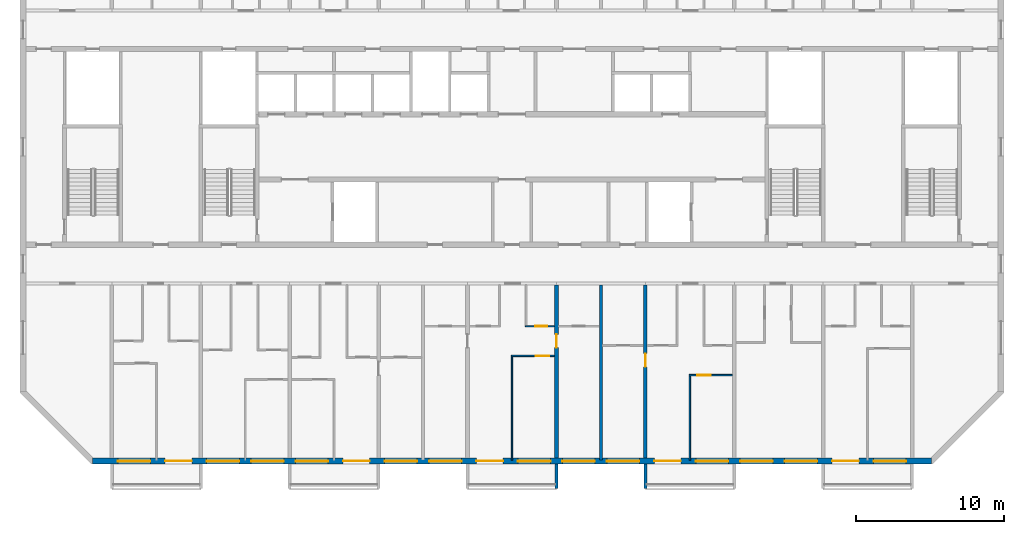
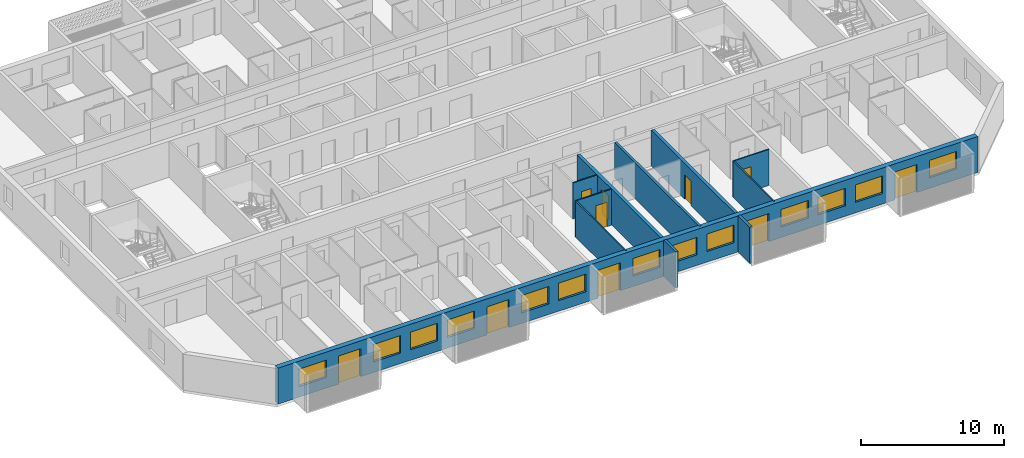
# One storey, part 4 of 26: 13 windows, 11 walls, 10 doors, 23 openings.
"""IFC4 building model written with IfcOpenShell, lengths in metres."""

from ifc_helpers import new_model, si_unit, direction, frame, frame_2d, origin, place, context, subcontext, project, spatial, polyline, rectangle, outline, extrude, source, transform, mapped, material, layer, layer_set, type_object, element, fill, save


model = new_model("IFC4")

# Units and contexts
model_context = context("Model", 3, precision=1e-05, world=origin(), true_north=direction((0.0, 1.0)))
body_context = subcontext(model_context, "Body", "Model", "MODEL_VIEW")
ifc_project = project(units=[si_unit("LENGTHUNIT", "METRE"), si_unit("AREAUNIT", "SQUARE_METRE"), si_unit("VOLUMEUNIT", "CUBIC_METRE"), si_unit("PLANEANGLEUNIT", "RADIAN"), si_unit("MASSUNIT", "GRAM", prefix="KILO")], contexts=[model_context])

# Site, building, storey
site_placement = place(None, origin())
site = spatial("IfcSite", under=ifc_project, at=site_placement, CompositionType="ELEMENT")
building_placement = place(site_placement, origin())
building = spatial("IfcBuilding", under=site, at=building_placement, Name="Poui Terraces", CompositionType="ELEMENT")
storey_placement = place(building_placement, frame((0.0, 0.0, 228.0)))
storey = spatial("IfcBuildingStorey", under=building, at=storey_placement, Name="L63", CompositionType="ELEMENT", Elevation=228.0)

# Wall, opening, door
ifc_material_1 = material(Name="Concrete 50 MPa", Category="concrete")
ifc_layer_1 = layer(ifc_material_1, 0.25)
ifc_layer_set_1 = layer_set([ifc_layer_1], Name="Concrete 50 MPa")
wall_type_1 = type_object("IfcWallType", Name="CROSS WALL 250 50MPa", PredefinedType="SHEAR", material=ifc_layer_set_1)
wall_1_placement = place(storey_placement, frame((54.0, 0.199951171875, 0.0), z_axis=(0.0, 0.0, 1.0), x_axis=(0.0, 1.0, 0.0)))
wall_1 = element("IfcWall", 1, at=wall_1_placement, inside=storey, type_object=wall_type_1, Name="CROSS WALL LINE 10 SOUTH", PredefinedType="SHEAR", context=body_context, shape_type="SweptSolid", body=[
    extrude(rectangle(XDim=11.699951171875, YDim=0.25, at=frame_2d((5.85009765625, 0.0))), origin(), (0.0, 0.0, 1.0), 3.080078125),
])
opening_1_placement = place(wall_1_placement, frame((7.449951171875, 0.0, 0.0)))
opening_1 = element("IfcOpeningElement", 2, at=opening_1_placement, cuts=wall_1, Name="Opening D90", PredefinedType="OPENING", context=body_context, shape_type="SweptSolid", body=[
    extrude(rectangle(XDim=0.89990234375, YDim=2.10009765625, at=frame_2d((0.449951171875, 1.050048828125))), frame((0.0, 0.135009765625, 0.0), z_axis=(0.0, -1.0, 0.0), x_axis=(1.0, 0.0, 0.0)), (0.0, 0.0, 1.0), 0.27001953125),
])
ifc_material_2 = material(Name="Solid core timber door", Category="wood")
door_type_1 = type_object("IfcDoorType", Name="INTERNAL DOOR 900 X 2100", OperationType="NOTDEFINED", PredefinedType="DOOR", material=ifc_material_2)
door_1_placement = place(opening_1_placement, frame((0.89990234375, 0.0, 0.0), z_axis=(0.0, 0.0, 1.0), x_axis=(-1.0, 0.0, 0.0)))
door_1 = element("IfcDoor", 3, at=door_1_placement, inside=storey, type_object=door_type_1, Name="INTERNAL DOOR 080", OperationType="SINGLE_SWING_LEFT", OverallHeight=2.10009765625, OverallWidth=0.89990234375, PredefinedType="DOOR", context=body_context, shape_type="SweptSolid", body=[
    extrude(rectangle(XDim=0.89990234375, YDim=2.10009765625, at=frame_2d((0.449951171875, 1.050048828125))), frame((0.0, 0.02490234375, 0.0), z_axis=(0.0, -1.0, 0.0), x_axis=(1.0, 0.0, 0.0)), (0.0, 0.0, 1.0), 0.050048828125),
])
fill(opening_1, door_1)

wall_2_placement = place(storey_placement, frame((60.0, 0.199951171875, 0.0), z_axis=(0.0, 0.0, 1.0), x_axis=(0.0, 1.0, 0.0)))
wall_2 = element("IfcWall", 4, at=wall_2_placement, inside=storey, type_object=wall_type_1, Name="CROSS WALL LINE 11 SOUTH", PredefinedType="SHEAR", context=body_context, shape_type="SweptSolid", body=[
    extrude(rectangle(XDim=11.699951171875, YDim=0.25, at=frame_2d((5.85009765625, 0.0))), origin(), (0.0, 0.0, 1.0), 3.080078125),
])
opening_2_placement = place(wall_2_placement, frame((6.14990234375, 0.0, 0.0)))
opening_2 = element("IfcOpeningElement", 5, at=opening_2_placement, cuts=wall_2, Name="Opening D90", PredefinedType="OPENING", context=body_context, shape_type="SweptSolid", body=[
    extrude(rectangle(XDim=0.89990234375, YDim=2.10009765625, at=frame_2d((0.449951171875, 1.050048828125))), frame((0.0, 0.135009765625, 0.0), z_axis=(0.0, -1.0, 0.0), x_axis=(1.0, 0.0, 0.0)), (0.0, 0.0, 1.0), 0.27001953125),
])
door_2_placement = place(opening_2_placement, origin())
door_2 = element("IfcDoor", 6, at=door_2_placement, inside=storey, type_object=door_type_1, Name="INTERNAL DOOR 082", OperationType="SINGLE_SWING_RIGHT", OverallHeight=2.10009765625, OverallWidth=0.89990234375, PredefinedType="DOOR", context=body_context, shape_type="SweptSolid", body=[
    extrude(rectangle(XDim=0.89990234375, YDim=2.10009765625, at=frame_2d((0.449951171875, 1.050048828125))), frame((0.0, 0.02490234375, 0.0), z_axis=(0.0, -1.0, 0.0), x_axis=(1.0, 0.0, 0.0)), (0.0, 0.0, 1.0), 0.050048828125),
])
fill(opening_2, door_2)

# Wall, openings, doors, windows
ifc_material_3 = material(Name="Precast concrete 40 MPa", Category="concrete")
ifc_layer_2 = layer(ifc_material_3, 0.39990234375)
ifc_layer_set_2 = layer_set([ifc_layer_2], Name="Precast concrete 40 MPa")
wall_type_2 = type_object("IfcWallType", Name="EXTERNAL WALL 400", PredefinedType="STANDARD", material=ifc_layer_set_2)
wall_3_placement = place(storey_placement, frame((22.682861328125, 0.0, 0.0), z_axis=(0.0, 0.0, 1.0), x_axis=(1.0, 0.0, 0.0)))
wall_3 = element("IfcWall", 7, at=wall_3_placement, inside=storey, type_object=wall_type_2, Name="EXTERNAL WALL S", PredefinedType="STANDARD", context=body_context, shape_type="SweptSolid", body=[
    extrude(rectangle(XDim=56.63427734375, YDim=0.39990234375, at=frame_2d((28.317138671875, 0.0))), origin(), (0.0, 0.0, 1.0), 3.080078125),
])
opening_3_placement = place(wall_3_placement, frame((1.71728515625, 0.0, 0.89990234375)))
opening_3 = element("IfcOpeningElement", 8, at=opening_3_placement, cuts=wall_3, Name="Opening W1", PredefinedType="OPENING", context=body_context, shape_type="SweptSolid", body=[
    extrude(rectangle(XDim=2.199951171875, YDim=1.5, at=frame_2d((1.10009765625, 0.75))), frame((0.0, 0.2099609375, 0.0), z_axis=(0.0, -1.0, 0.0), x_axis=(1.0, 0.0, 0.0)), (0.0, 0.0, 1.0), 0.419921875),
])
opening_4_placement = place(wall_3_placement, frame((4.917236328125, 0.0, 0.0)))
opening_4 = element("IfcOpeningElement", 9, at=opening_4_placement, cuts=wall_3, Name="Opening BD1", PredefinedType="OPENING", context=body_context, shape_type="SweptSolid", body=[
    extrude(rectangle(XDim=1.800048828125, YDim=2.39990234375, at=frame_2d((0.89990234375, 1.199951171875))), frame((0.0, 0.2099609375, 0.0), z_axis=(0.0, -1.0, 0.0), x_axis=(1.0, 0.0, 0.0)), (0.0, 0.0, 1.0), 0.419921875),
])
opening_5_placement = place(wall_3_placement, frame((7.71728515625, 0.0, 0.89990234375)))
opening_5 = element("IfcOpeningElement", 10, at=opening_5_placement, cuts=wall_3, Name="Opening W1", PredefinedType="OPENING", context=body_context, shape_type="SweptSolid", body=[
    extrude(rectangle(XDim=2.199951171875, YDim=1.5, at=frame_2d((1.10009765625, 0.75))), frame((0.0, 0.2099609375, 0.0), z_axis=(0.0, -1.0, 0.0), x_axis=(1.0, 0.0, 0.0)), (0.0, 0.0, 1.0), 0.419921875),
])
opening_6_placement = place(wall_3_placement, frame((10.71728515625, 0.0, 0.89990234375)))
opening_6 = element("IfcOpeningElement", 11, at=opening_6_placement, cuts=wall_3, Name="Opening W1", PredefinedType="OPENING", context=body_context, shape_type="SweptSolid", body=[
    extrude(rectangle(XDim=2.199951171875, YDim=1.5, at=frame_2d((1.10009765625, 0.75))), frame((0.0, 0.2099609375, 0.0), z_axis=(0.0, -1.0, 0.0), x_axis=(1.0, 0.0, 0.0)), (0.0, 0.0, 1.0), 0.419921875),
])
opening_7_placement = place(wall_3_placement, frame((13.71728515625, 0.0, 0.89990234375)))
opening_7 = element("IfcOpeningElement", 12, at=opening_7_placement, cuts=wall_3, Name="Opening W1", PredefinedType="OPENING", context=body_context, shape_type="SweptSolid", body=[
    extrude(rectangle(XDim=2.199951171875, YDim=1.5, at=frame_2d((1.10009765625, 0.75))), frame((0.0, 0.2099609375, 0.0), z_axis=(0.0, -1.0, 0.0), x_axis=(1.0, 0.0, 0.0)), (0.0, 0.0, 1.0), 0.419921875),
])
opening_8_placement = place(wall_3_placement, frame((16.917236328125, 0.0, 0.0)))
opening_8 = element("IfcOpeningElement", 13, at=opening_8_placement, cuts=wall_3, Name="Opening BD1", PredefinedType="OPENING", context=body_context, shape_type="SweptSolid", body=[
    extrude(rectangle(XDim=1.800048828125, YDim=2.39990234375, at=frame_2d((0.89990234375, 1.199951171875))), frame((0.0, 0.2099609375, 0.0), z_axis=(0.0, -1.0, 0.0), x_axis=(1.0, 0.0, 0.0)), (0.0, 0.0, 1.0), 0.419921875),
])
opening_9_placement = place(wall_3_placement, frame((19.71728515625, 0.0, 0.89990234375)))
opening_9 = element("IfcOpeningElement", 14, at=opening_9_placement, cuts=wall_3, Name="Opening W1", PredefinedType="OPENING", context=body_context, shape_type="SweptSolid", body=[
    extrude(rectangle(XDim=2.199951171875, YDim=1.5, at=frame_2d((1.10009765625, 0.75))), frame((0.0, 0.2099609375, 0.0), z_axis=(0.0, -1.0, 0.0), x_axis=(1.0, 0.0, 0.0)), (0.0, 0.0, 1.0), 0.419921875),
])
opening_10_placement = place(wall_3_placement, frame((22.71728515625, 0.0, 0.89990234375)))
opening_10 = element("IfcOpeningElement", 15, at=opening_10_placement, cuts=wall_3, Name="Opening W1", PredefinedType="OPENING", context=body_context, shape_type="SweptSolid", body=[
    extrude(rectangle(XDim=2.199951171875, YDim=1.5, at=frame_2d((1.10009765625, 0.75))), frame((0.0, 0.2099609375, 0.0), z_axis=(0.0, -1.0, 0.0), x_axis=(1.0, 0.0, 0.0)), (0.0, 0.0, 1.0), 0.419921875),
])
opening_11_placement = place(wall_3_placement, frame((25.917236328125, 0.0, 0.0)))
opening_11 = element("IfcOpeningElement", 16, at=opening_11_placement, cuts=wall_3, Name="Opening BD1", PredefinedType="OPENING", context=body_context, shape_type="SweptSolid", body=[
    extrude(rectangle(XDim=1.800048828125, YDim=2.39990234375, at=frame_2d((0.89990234375, 1.199951171875))), frame((0.0, 0.2099609375, 0.0), z_axis=(0.0, -1.0, 0.0), x_axis=(1.0, 0.0, 0.0)), (0.0, 0.0, 1.0), 0.419921875),
])
opening_12_placement = place(wall_3_placement, frame((28.71728515625, 0.0, 0.89990234375)))
opening_12 = element("IfcOpeningElement", 17, at=opening_12_placement, cuts=wall_3, Name="Opening W1", PredefinedType="OPENING", context=body_context, shape_type="SweptSolid", body=[
    extrude(rectangle(XDim=2.199951171875, YDim=1.5, at=frame_2d((1.10009765625, 0.75))), frame((0.0, 0.2099609375, 0.0), z_axis=(0.0, -1.0, 0.0), x_axis=(1.0, 0.0, 0.0)), (0.0, 0.0, 1.0), 0.419921875),
])
opening_13_placement = place(wall_3_placement, frame((31.71728515625, 0.0, 0.89990234375)))
opening_13 = element("IfcOpeningElement", 18, at=opening_13_placement, cuts=wall_3, Name="Opening W1", PredefinedType="OPENING", context=body_context, shape_type="SweptSolid", body=[
    extrude(rectangle(XDim=2.199951171875, YDim=1.5, at=frame_2d((1.10009765625, 0.75))), frame((0.0, 0.2099609375, 0.0), z_axis=(0.0, -1.0, 0.0), x_axis=(1.0, 0.0, 0.0)), (0.0, 0.0, 1.0), 0.419921875),
])
opening_14_placement = place(wall_3_placement, frame((34.71728515625, 0.0, 0.89990234375)))
opening_14 = element("IfcOpeningElement", 19, at=opening_14_placement, cuts=wall_3, Name="Opening W1", PredefinedType="OPENING", context=body_context, shape_type="SweptSolid", body=[
    extrude(rectangle(XDim=2.199951171875, YDim=1.5, at=frame_2d((1.10009765625, 0.75))), frame((0.0, 0.2099609375, 0.0), z_axis=(0.0, -1.0, 0.0), x_axis=(1.0, 0.0, 0.0)), (0.0, 0.0, 1.0), 0.419921875),
])
opening_15_placement = place(wall_3_placement, frame((37.917236328125, 0.0, 0.0)))
opening_15 = element("IfcOpeningElement", 20, at=opening_15_placement, cuts=wall_3, Name="Opening BD1", PredefinedType="OPENING", context=body_context, shape_type="SweptSolid", body=[
    extrude(rectangle(XDim=1.800048828125, YDim=2.39990234375, at=frame_2d((0.89990234375, 1.199951171875))), frame((0.0, 0.2099609375, 0.0), z_axis=(0.0, -1.0, 0.0), x_axis=(1.0, 0.0, 0.0)), (0.0, 0.0, 1.0), 0.419921875),
])
opening_16_placement = place(wall_3_placement, frame((40.71728515625, 0.0, 0.89990234375)))
opening_16 = element("IfcOpeningElement", 21, at=opening_16_placement, cuts=wall_3, Name="Opening W1", PredefinedType="OPENING", context=body_context, shape_type="SweptSolid", body=[
    extrude(rectangle(XDim=2.199951171875, YDim=1.5, at=frame_2d((1.10009765625, 0.75))), frame((0.0, 0.2099609375, 0.0), z_axis=(0.0, -1.0, 0.0), x_axis=(1.0, 0.0, 0.0)), (0.0, 0.0, 1.0), 0.419921875),
])
opening_17_placement = place(wall_3_placement, frame((43.71728515625, 0.0, 0.89990234375)))
opening_17 = element("IfcOpeningElement", 22, at=opening_17_placement, cuts=wall_3, Name="Opening W1", PredefinedType="OPENING", context=body_context, shape_type="SweptSolid", body=[
    extrude(rectangle(XDim=2.199951171875, YDim=1.5, at=frame_2d((1.10009765625, 0.75))), frame((0.0, 0.2099609375, 0.0), z_axis=(0.0, -1.0, 0.0), x_axis=(1.0, 0.0, 0.0)), (0.0, 0.0, 1.0), 0.419921875),
])
opening_18_placement = place(wall_3_placement, frame((46.71728515625, 0.0, 0.89990234375)))
opening_18 = element("IfcOpeningElement", 23, at=opening_18_placement, cuts=wall_3, Name="Opening W1", PredefinedType="OPENING", context=body_context, shape_type="SweptSolid", body=[
    extrude(rectangle(XDim=2.199951171875, YDim=1.5, at=frame_2d((1.10009765625, 0.75))), frame((0.0, 0.2099609375, 0.0), z_axis=(0.0, -1.0, 0.0), x_axis=(1.0, 0.0, 0.0)), (0.0, 0.0, 1.0), 0.419921875),
])
opening_19_placement = place(wall_3_placement, frame((49.917236328125, 0.0, 0.0)))
opening_19 = element("IfcOpeningElement", 24, at=opening_19_placement, cuts=wall_3, Name="Opening BD1", PredefinedType="OPENING", context=body_context, shape_type="SweptSolid", body=[
    extrude(rectangle(XDim=1.800048828125, YDim=2.39990234375, at=frame_2d((0.89990234375, 1.199951171875))), frame((0.0, 0.2099609375, 0.0), z_axis=(0.0, -1.0, 0.0), x_axis=(1.0, 0.0, 0.0)), (0.0, 0.0, 1.0), 0.419921875),
])
opening_20_placement = place(wall_3_placement, frame((52.71728515625, 0.0, 0.89990234375)))
opening_20 = element("IfcOpeningElement", 25, at=opening_20_placement, cuts=wall_3, Name="Opening W1", PredefinedType="OPENING", context=body_context, shape_type="SweptSolid", body=[
    extrude(rectangle(XDim=2.199951171875, YDim=1.5, at=frame_2d((1.10009765625, 0.75))), frame((0.0, 0.2099609375, 0.0), z_axis=(0.0, -1.0, 0.0), x_axis=(1.0, 0.0, 0.0)), (0.0, 0.0, 1.0), 0.419921875),
])
ifc_material_4 = material(Name="Clear glass in aluminium frame", Category="aluminium")
door_type_2 = type_object("IfcDoorType", Name="BALCONY DOOR 1800X2400", OperationType="DOUBLE_DOOR_SLIDING", PredefinedType="DOOR", material=ifc_material_4)
door_3_placement = place(opening_4_placement, origin())
door_3 = element("IfcDoor", 26, at=door_3_placement, inside=storey, type_object=door_type_2, Name="BD1 BALCONY DOOR", OperationType="DOUBLE_DOOR_SLIDING", OverallHeight=2.39990234375, OverallWidth=1.800048828125, PredefinedType="DOOR", context=body_context, shape_type="SweptSolid", body=[
    extrude(rectangle(XDim=1.800048828125, YDim=2.39990234375, at=frame_2d((0.89990234375, 1.199951171875))), frame((0.0, 0.02490234375, 0.0), z_axis=(0.0, -1.0, 0.0), x_axis=(1.0, 0.0, 0.0)), (0.0, 0.0, 1.0), 0.050048828125),
])
fill(opening_4, door_3)
door_4_placement = place(opening_8_placement, origin())
door_4 = element("IfcDoor", 27, at=door_4_placement, inside=storey, type_object=door_type_2, Name="BD1 BALCONY DOOR", OperationType="DOUBLE_DOOR_SLIDING", OverallHeight=2.39990234375, OverallWidth=1.800048828125, PredefinedType="DOOR", context=body_context, shape_type="SweptSolid", body=[
    extrude(rectangle(XDim=1.800048828125, YDim=2.39990234375, at=frame_2d((0.89990234375, 1.199951171875))), frame((0.0, 0.02490234375, 0.0), z_axis=(0.0, -1.0, 0.0), x_axis=(1.0, 0.0, 0.0)), (0.0, 0.0, 1.0), 0.050048828125),
])
fill(opening_8, door_4)
door_5_placement = place(opening_11_placement, origin())
door_5 = element("IfcDoor", 28, at=door_5_placement, inside=storey, type_object=door_type_2, Name="BD1 BALCONY DOOR", OperationType="DOUBLE_DOOR_SLIDING", OverallHeight=2.39990234375, OverallWidth=1.800048828125, PredefinedType="DOOR", context=body_context, shape_type="SweptSolid", body=[
    extrude(rectangle(XDim=1.800048828125, YDim=2.39990234375, at=frame_2d((0.89990234375, 1.199951171875))), frame((0.0, 0.02490234375, 0.0), z_axis=(0.0, -1.0, 0.0), x_axis=(1.0, 0.0, 0.0)), (0.0, 0.0, 1.0), 0.050048828125),
])
fill(opening_11, door_5)
door_6_placement = place(opening_15_placement, origin())
door_6 = element("IfcDoor", 29, at=door_6_placement, inside=storey, type_object=door_type_2, Name="BD1 BALCONY DOOR", OperationType="DOUBLE_DOOR_SLIDING", OverallHeight=2.39990234375, OverallWidth=1.800048828125, PredefinedType="DOOR", context=body_context, shape_type="SweptSolid", body=[
    extrude(rectangle(XDim=1.800048828125, YDim=2.39990234375, at=frame_2d((0.89990234375, 1.199951171875))), frame((0.0, 0.02490234375, 0.0), z_axis=(0.0, -1.0, 0.0), x_axis=(1.0, 0.0, 0.0)), (0.0, 0.0, 1.0), 0.050048828125),
])
fill(opening_15, door_6)
door_7_placement = place(opening_19_placement, origin())
door_7 = element("IfcDoor", 30, at=door_7_placement, inside=storey, type_object=door_type_2, Name="BD1 BALCONY DOOR", OperationType="DOUBLE_DOOR_SLIDING", OverallHeight=2.39990234375, OverallWidth=1.800048828125, PredefinedType="DOOR", context=body_context, shape_type="SweptSolid", body=[
    extrude(rectangle(XDim=1.800048828125, YDim=2.39990234375, at=frame_2d((0.89990234375, 1.199951171875))), frame((0.0, 0.02490234375, 0.0), z_axis=(0.0, -1.0, 0.0), x_axis=(1.0, 0.0, 0.0)), (0.0, 0.0, 1.0), 0.050048828125),
])
fill(opening_19, door_7)
window_type = type_object("IfcWindowType", Name="WINDOW 2200X1500", PartitioningType="DOUBLE_PANEL_HORIZONTAL", PredefinedType="WINDOW", material=ifc_material_4)
window_1_placement = place(opening_3_placement, origin())
window_1 = element("IfcWindow", 31, at=window_1_placement, inside=storey, type_object=window_type, Name="W1 WINDOW", OverallHeight=1.5, OverallWidth=2.199951171875, PartitioningType="DOUBLE_PANEL_HORIZONTAL", PredefinedType="WINDOW", context=body_context, shape_type="SweptSolid", body=[
    extrude(rectangle(XDim=2.199951171875, YDim=1.5, at=frame_2d((1.10009765625, 0.75))), frame((0.0, 0.030029296875, 0.0), z_axis=(0.0, -1.0, 0.0), x_axis=(1.0, 0.0, 0.0)), (0.0, 0.0, 1.0), 0.06005859375),
])
fill(opening_3, window_1)
window_2_placement = place(opening_5_placement, origin())
window_2 = element("IfcWindow", 32, at=window_2_placement, inside=storey, type_object=window_type, Name="W1 WINDOW", OverallHeight=1.5, OverallWidth=2.199951171875, PartitioningType="DOUBLE_PANEL_HORIZONTAL", PredefinedType="WINDOW", context=body_context, shape_type="SweptSolid", body=[
    extrude(rectangle(XDim=2.199951171875, YDim=1.5, at=frame_2d((1.10009765625, 0.75))), frame((0.0, 0.030029296875, 0.0), z_axis=(0.0, -1.0, 0.0), x_axis=(1.0, 0.0, 0.0)), (0.0, 0.0, 1.0), 0.06005859375),
])
fill(opening_5, window_2)
window_3_placement = place(opening_6_placement, origin())
window_3 = element("IfcWindow", 33, at=window_3_placement, inside=storey, type_object=window_type, Name="W1 WINDOW", OverallHeight=1.5, OverallWidth=2.199951171875, PartitioningType="DOUBLE_PANEL_HORIZONTAL", PredefinedType="WINDOW", context=body_context, shape_type="SweptSolid", body=[
    extrude(rectangle(XDim=2.199951171875, YDim=1.5, at=frame_2d((1.10009765625, 0.75))), frame((0.0, 0.030029296875, 0.0), z_axis=(0.0, -1.0, 0.0), x_axis=(1.0, 0.0, 0.0)), (0.0, 0.0, 1.0), 0.06005859375),
])
fill(opening_6, window_3)
window_4_placement = place(opening_7_placement, origin())
window_4 = element("IfcWindow", 34, at=window_4_placement, inside=storey, type_object=window_type, Name="W1 WINDOW", OverallHeight=1.5, OverallWidth=2.199951171875, PartitioningType="DOUBLE_PANEL_HORIZONTAL", PredefinedType="WINDOW", context=body_context, shape_type="SweptSolid", body=[
    extrude(rectangle(XDim=2.199951171875, YDim=1.5, at=frame_2d((1.10009765625, 0.75))), frame((0.0, 0.030029296875, 0.0), z_axis=(0.0, -1.0, 0.0), x_axis=(1.0, 0.0, 0.0)), (0.0, 0.0, 1.0), 0.06005859375),
])
fill(opening_7, window_4)
window_5_placement = place(opening_9_placement, origin())
window_5 = element("IfcWindow", 35, at=window_5_placement, inside=storey, type_object=window_type, Name="W1 WINDOW", OverallHeight=1.5, OverallWidth=2.199951171875, PartitioningType="DOUBLE_PANEL_HORIZONTAL", PredefinedType="WINDOW", context=body_context, shape_type="SweptSolid", body=[
    extrude(rectangle(XDim=2.199951171875, YDim=1.5, at=frame_2d((1.10009765625, 0.75))), frame((0.0, 0.030029296875, 0.0), z_axis=(0.0, -1.0, 0.0), x_axis=(1.0, 0.0, 0.0)), (0.0, 0.0, 1.0), 0.06005859375),
])
fill(opening_9, window_5)
window_6_placement = place(opening_10_placement, origin())
window_6 = element("IfcWindow", 36, at=window_6_placement, inside=storey, type_object=window_type, Name="W1 WINDOW", OverallHeight=1.5, OverallWidth=2.199951171875, PartitioningType="DOUBLE_PANEL_HORIZONTAL", PredefinedType="WINDOW", context=body_context, shape_type="SweptSolid", body=[
    extrude(rectangle(XDim=2.199951171875, YDim=1.5, at=frame_2d((1.10009765625, 0.75))), frame((0.0, 0.030029296875, 0.0), z_axis=(0.0, -1.0, 0.0), x_axis=(1.0, 0.0, 0.0)), (0.0, 0.0, 1.0), 0.06005859375),
])
fill(opening_10, window_6)
window_7_placement = place(opening_12_placement, origin())
window_7 = element("IfcWindow", 37, at=window_7_placement, inside=storey, type_object=window_type, Name="W1 WINDOW", OverallHeight=1.5, OverallWidth=2.199951171875, PartitioningType="DOUBLE_PANEL_HORIZONTAL", PredefinedType="WINDOW", context=body_context, shape_type="SweptSolid", body=[
    extrude(rectangle(XDim=2.199951171875, YDim=1.5, at=frame_2d((1.10009765625, 0.75))), frame((0.0, 0.030029296875, 0.0), z_axis=(0.0, -1.0, 0.0), x_axis=(1.0, 0.0, 0.0)), (0.0, 0.0, 1.0), 0.06005859375),
])
fill(opening_12, window_7)
window_8_placement = place(opening_13_placement, origin())
window_8 = element("IfcWindow", 38, at=window_8_placement, inside=storey, type_object=window_type, Name="W1 WINDOW", OverallHeight=1.5, OverallWidth=2.199951171875, PartitioningType="DOUBLE_PANEL_HORIZONTAL", PredefinedType="WINDOW", context=body_context, shape_type="SweptSolid", body=[
    extrude(rectangle(XDim=2.199951171875, YDim=1.5, at=frame_2d((1.10009765625, 0.75))), frame((0.0, 0.030029296875, 0.0), z_axis=(0.0, -1.0, 0.0), x_axis=(1.0, 0.0, 0.0)), (0.0, 0.0, 1.0), 0.06005859375),
])
fill(opening_13, window_8)
window_9_placement = place(opening_14_placement, origin())
window_9 = element("IfcWindow", 39, at=window_9_placement, inside=storey, type_object=window_type, Name="W1 WINDOW", OverallHeight=1.5, OverallWidth=2.199951171875, PartitioningType="DOUBLE_PANEL_HORIZONTAL", PredefinedType="WINDOW", context=body_context, shape_type="SweptSolid", body=[
    extrude(rectangle(XDim=2.199951171875, YDim=1.5, at=frame_2d((1.10009765625, 0.75))), frame((0.0, 0.030029296875, 0.0), z_axis=(0.0, -1.0, 0.0), x_axis=(1.0, 0.0, 0.0)), (0.0, 0.0, 1.0), 0.06005859375),
])
fill(opening_14, window_9)
window_10_placement = place(opening_16_placement, origin())
window_10 = element("IfcWindow", 40, at=window_10_placement, inside=storey, type_object=window_type, Name="W1 WINDOW", OverallHeight=1.5, OverallWidth=2.199951171875, PartitioningType="DOUBLE_PANEL_HORIZONTAL", PredefinedType="WINDOW", context=body_context, shape_type="SweptSolid", body=[
    extrude(rectangle(XDim=2.199951171875, YDim=1.5, at=frame_2d((1.10009765625, 0.75))), frame((0.0, 0.030029296875, 0.0), z_axis=(0.0, -1.0, 0.0), x_axis=(1.0, 0.0, 0.0)), (0.0, 0.0, 1.0), 0.06005859375),
])
fill(opening_16, window_10)
window_11_placement = place(opening_17_placement, origin())
window_11 = element("IfcWindow", 41, at=window_11_placement, inside=storey, type_object=window_type, Name="W1 WINDOW", OverallHeight=1.5, OverallWidth=2.199951171875, PartitioningType="DOUBLE_PANEL_HORIZONTAL", PredefinedType="WINDOW", context=body_context, shape_type="SweptSolid", body=[
    extrude(rectangle(XDim=2.199951171875, YDim=1.5, at=frame_2d((1.10009765625, 0.75))), frame((0.0, 0.030029296875, 0.0), z_axis=(0.0, -1.0, 0.0), x_axis=(1.0, 0.0, 0.0)), (0.0, 0.0, 1.0), 0.06005859375),
])
fill(opening_17, window_11)
window_12_placement = place(opening_18_placement, origin())
window_12 = element("IfcWindow", 42, at=window_12_placement, inside=storey, type_object=window_type, Name="W1 WINDOW", OverallHeight=1.5, OverallWidth=2.199951171875, PartitioningType="DOUBLE_PANEL_HORIZONTAL", PredefinedType="WINDOW", context=body_context, shape_type="SweptSolid", body=[
    extrude(rectangle(XDim=2.199951171875, YDim=1.5, at=frame_2d((1.10009765625, 0.75))), frame((0.0, 0.030029296875, 0.0), z_axis=(0.0, -1.0, 0.0), x_axis=(1.0, 0.0, 0.0)), (0.0, 0.0, 1.0), 0.06005859375),
])
fill(opening_18, window_12)
window_13_placement = place(opening_20_placement, origin())
window_13 = element("IfcWindow", 43, at=window_13_placement, inside=storey, type_object=window_type, Name="W1 WINDOW", OverallHeight=1.5, OverallWidth=2.199951171875, PartitioningType="DOUBLE_PANEL_HORIZONTAL", PredefinedType="WINDOW", context=body_context, shape_type="SweptSolid", body=[
    extrude(rectangle(XDim=2.199951171875, YDim=1.5, at=frame_2d((1.10009765625, 0.75))), frame((0.0, 0.030029296875, 0.0), z_axis=(0.0, -1.0, 0.0), x_axis=(1.0, 0.0, 0.0)), (0.0, 0.0, 1.0), 0.06005859375),
])
fill(opening_20, window_13)

# Wall, opening, door
ifc_material_5 = material(Name="Plasterboard partition")
ifc_layer_3 = layer(ifc_material_5, 0.10009765625)
ifc_layer_set_3 = layer_set([ifc_layer_3], Name="Plasterboard partition")
wall_type_3 = type_object("IfcWallType", Name="FLAT PARTITION 100", PredefinedType="PARTITIONING", material=ifc_layer_set_3)
wall_4_placement = place(storey_placement, frame((62.949951171875, 5.800048828125, 0.0), z_axis=(0.0, 0.0, 1.0), x_axis=(1.0, 0.0, 0.0)))
wall_4 = element("IfcWall", 44, at=wall_4_placement, inside=storey, type_object=wall_type_3, Name="FLAT PARTITION 100", PredefinedType="PARTITIONING", context=body_context, shape_type="SweptSolid", body=[
    extrude(rectangle(XDim=2.9150390625, YDim=0.10009765625, at=frame_2d((1.45751953125, 0.0))), origin(), (0.0, 0.0, 1.0), 3.080078125),
])
opening_21_placement = place(wall_4_placement, frame((0.550048828125, 0.0, 0.0)))
opening_21 = element("IfcOpeningElement", 45, at=opening_21_placement, cuts=wall_4, Name="Opening D90", PredefinedType="OPENING", context=body_context, shape_type="SweptSolid", body=[
    extrude(rectangle(XDim=0.89990234375, YDim=2.10009765625, at=frame_2d((0.449951171875, 1.050048828125))), frame((0.0, 0.06005859375, 0.0), z_axis=(0.0, -1.0, 0.0), x_axis=(1.0, 0.0, 0.0)), (0.0, 0.0, 1.0), 0.1201171875),
])
door_8_placement = place(opening_21_placement, origin())
door_8 = element("IfcDoor", 46, at=door_8_placement, inside=storey, type_object=door_type_1, Name="INTERNAL DOOR 085", OperationType="SINGLE_SWING_RIGHT", OverallHeight=2.10009765625, OverallWidth=0.89990234375, PredefinedType="DOOR", context=body_context, shape_type="SweptSolid", body=[
    extrude(rectangle(XDim=0.89990234375, YDim=2.10009765625, at=frame_2d((0.449951171875, 1.050048828125))), frame((0.0, 0.02490234375, 0.0), z_axis=(0.0, -1.0, 0.0), x_axis=(1.0, 0.0, 0.0)), (0.0, 0.0, 1.0), 0.050048828125),
])
fill(opening_21, door_8)

wall_5_placement = place(storey_placement, frame((50.949951171875, 7.10009765625, 0.0), z_axis=(0.0, 0.0, 1.0), x_axis=(1.0, 0.0, 0.0)))
wall_5 = element("IfcWall", 47, at=wall_5_placement, inside=storey, type_object=wall_type_3, Name="FLAT PARTITION 100", PredefinedType="PARTITIONING", context=body_context, shape_type="SweptSolid", body=[
    extrude(rectangle(XDim=2.9150390625, YDim=0.10009765625, at=frame_2d((1.45751953125, 0.0))), origin(), (0.0, 0.0, 1.0), 3.080078125),
])
opening_22_placement = place(wall_5_placement, frame((1.64990234375, 0.0, 0.0)))
opening_22 = element("IfcOpeningElement", 48, at=opening_22_placement, cuts=wall_5, Name="Opening D90", PredefinedType="OPENING", context=body_context, shape_type="SweptSolid", body=[
    extrude(rectangle(XDim=0.89990234375, YDim=2.10009765625, at=frame_2d((0.449951171875, 1.050048828125))), frame((0.0, 0.06005859375, 0.0), z_axis=(0.0, -1.0, 0.0), x_axis=(1.0, 0.0, 0.0)), (0.0, 0.0, 1.0), 0.1201171875),
])
door_9_placement = place(opening_22_placement, origin())
door_9 = element("IfcDoor", 49, at=door_9_placement, inside=storey, type_object=door_type_1, Name="INTERNAL DOOR 079", OperationType="SINGLE_SWING_LEFT", OverallHeight=2.10009765625, OverallWidth=0.89990234375, PredefinedType="DOOR", context=body_context, shape_type="SweptSolid", body=[
    extrude(rectangle(XDim=0.89990234375, YDim=2.10009765625, at=frame_2d((0.449951171875, 1.050048828125))), frame((0.0, 0.02490234375, 0.0), z_axis=(0.0, -1.0, 0.0), x_axis=(1.0, 0.0, 0.0)), (0.0, 0.0, 1.0), 0.050048828125),
])
fill(opening_22, door_9)

wall_6_placement = place(storey_placement, frame((51.89990234375, 9.10009765625, 0.0), z_axis=(0.0, 0.0, 1.0), x_axis=(1.0, 0.0, 0.0)))
wall_6 = element("IfcWall", 50, at=wall_6_placement, inside=storey, type_object=wall_type_3, Name="FLAT PARTITION 100", PredefinedType="PARTITIONING", context=body_context, shape_type="SweptSolid", body=[
    extrude(rectangle(XDim=1.965087890625, YDim=0.10009765625, at=frame_2d((0.982421875, 0.0))), origin(), (0.0, 0.0, 1.0), 3.080078125),
])
opening_23_placement = place(wall_6_placement, frame((0.675048828125, 0.0, 0.0)))
opening_23 = element("IfcOpeningElement", 51, at=opening_23_placement, cuts=wall_6, Name="Opening D80", PredefinedType="OPENING", context=body_context, shape_type="SweptSolid", body=[
    extrude(rectangle(XDim=0.800048828125, YDim=2.10009765625, at=frame_2d((0.39990234375, 1.050048828125))), frame((0.0, 0.06005859375, 0.0), z_axis=(0.0, -1.0, 0.0), x_axis=(1.0, 0.0, 0.0)), (0.0, 0.0, 1.0), 0.1201171875),
])
door_type_3 = type_object("IfcDoorType", Name="BATHROOM, LAUNDRY AND STORE DOOR 800 X 2100", OperationType="NOTDEFINED", PredefinedType="DOOR", material=ifc_material_2)
door_10_placement = place(opening_23_placement, origin())
door_10 = element("IfcDoor", 52, at=door_10_placement, inside=storey, type_object=door_type_3, Name="BATHROOM, LAUNDRY AND STORE DOOR 078", OperationType="SINGLE_SWING_RIGHT", OverallHeight=2.10009765625, OverallWidth=0.800048828125, PredefinedType="DOOR", context=body_context, shape_type="SweptSolid", body=[
    extrude(rectangle(XDim=0.800048828125, YDim=2.10009765625, at=frame_2d((0.39990234375, 1.050048828125))), frame((0.0, 0.02490234375, 0.0), z_axis=(0.0, -1.0, 0.0), x_axis=(1.0, 0.0, 0.0)), (0.0, 0.0, 1.0), 0.050048828125),
])
fill(opening_23, door_10)

# Walls
wall_7_placement = place(storey_placement, frame((51.0, 0.06005859375, 0.0), z_axis=(0.0, 0.0, 1.0), x_axis=(0.0, 1.0, 0.0)))
element("IfcWall", 53, at=wall_7_placement, inside=storey, type_object=wall_type_3, Name="FLAT PARTITION 100", PredefinedType="PARTITIONING", context=body_context, shape_type="SweptSolid", body=[
    extrude(rectangle(XDim=6.989990234375, YDim=0.10009765625, at=frame_2d((3.4951171875, 0.0))), origin(), (0.0, 0.0, 1.0), 3.080078125),
])
wall_8_placement = place(storey_placement, frame((63.0, 0.06005859375, 0.0), z_axis=(0.0, 0.0, 1.0), x_axis=(0.0, 1.0, 0.0)))
element("IfcWall", 54, at=wall_8_placement, inside=storey, type_object=wall_type_3, Name="FLAT PARTITION 100", PredefinedType="PARTITIONING", context=body_context, shape_type="SweptSolid", body=[
    extrude(rectangle(XDim=5.68994140625, YDim=0.10009765625, at=frame_2d((2.844970703125, 0.0))), origin(), (0.0, 0.0, 1.0), 3.080078125),
])
ifc_material_6 = material(Name="Fire-rated masonry wall", Category="masonry")
ifc_layer_4 = layer(ifc_material_6, 0.199951171875)
ifc_layer_set_4 = layer_set([ifc_layer_4], Name="Fire-rated masonry wall")
wall_type_4 = type_object("IfcWallType", Name="FLAT PARTY WALL 200", PredefinedType="PARTITIONING", material=ifc_layer_set_4)
wall_9_placement = place(storey_placement, frame((57.0, 0.06005859375, 0.0), z_axis=(0.0, 0.0, 1.0), x_axis=(0.0, 1.0, 0.0)))
element("IfcWall", 55, at=wall_9_placement, inside=storey, type_object=wall_type_4, Name="FLAT PARTY WALL 200", PredefinedType="PARTITIONING", context=body_context, shape_type="SweptSolid", body=[
    extrude(rectangle(XDim=11.829833984375, YDim=0.199951171875, at=frame_2d((5.9150390625, 0.0))), origin(), (0.0, 0.0, 1.0), 3.080078125),
])
ifc_layer_5 = layer(ifc_material_3, 0.199951171875)
ifc_layer_set_5 = layer_set([ifc_layer_5], Name="Precast concrete 40 MPa")
wall_type_5 = type_object("IfcWallType", Name="REAR FIN 200", PredefinedType="STANDARD", material=ifc_layer_set_5)
shared_shape = source(origin(), body_context, "Body", "SweptSolid", [
    extrude(outline(polyline([(0.0, 0.0), (0.2001953125, 0.0), (0.2001953125, 1.650146484375), (0.0, 1.650146484375), (0.0, 0.0)])), origin(), (0.0, 0.0, 1.0), 3.10009765625),
])
for number, where, name in (
    (56, (53.89990234375, -1.85009765625, 0.0), "REAR FIN"),
    (57, (59.89990234375, -1.85009765625, 0.0), "REAR FIN"),
):
    element("IfcWall", number, at=place(storey_placement, frame(where)), inside=storey, type_object=wall_type_5, Name=name, PredefinedType="STANDARD", context=body_context, shape_type="MappedRepresentation", body=[
        mapped(shared_shape, transform((0.0, 0.0, 0.0))),
    ])

save(model, "model.ifc")
